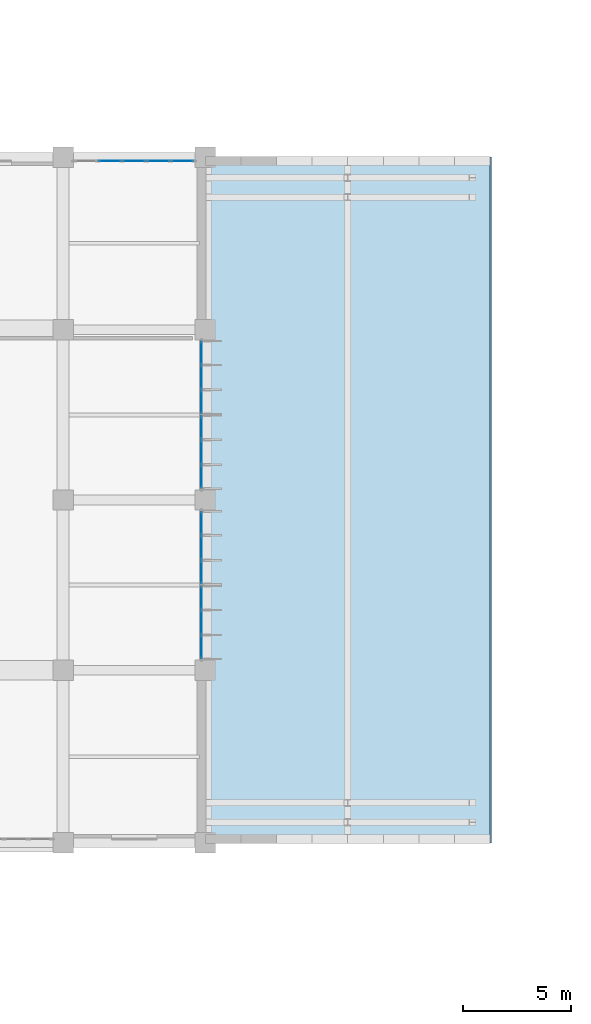
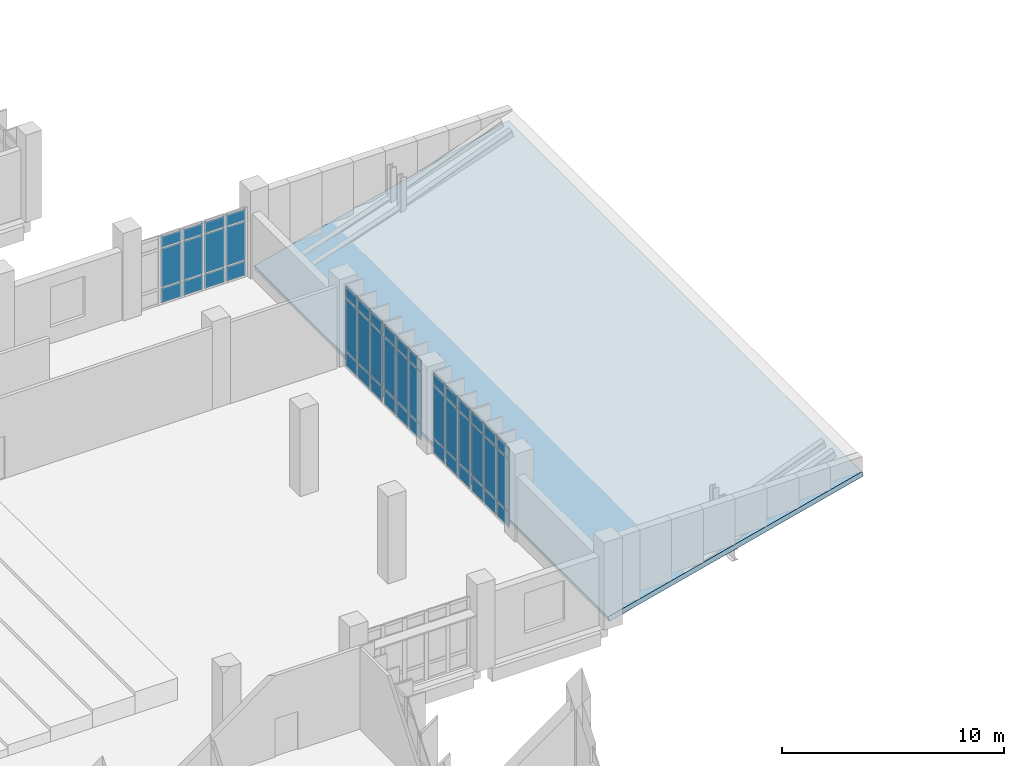
# One storey, part 61 of 90: 48 plates, 1 slab, 5 elements without a shape of their own.
"""IFC4 building model written with IfcOpenShell, lengths in metres."""

from ifc_helpers import new_model, si_unit, direction, frame, origin, origin_2d, place, context, subcontext, project, spatial, polyline, rectangle, outline, extrude, material, layer, layer_set, type_object, element, aggregate, save


model = new_model("IFC4")

# Units and contexts
model_context = context("Model", 3, precision=1e-05, world=origin(), true_north=direction((0.0, 1.0)))
body_context = subcontext(model_context, "Body", "Model", "MODEL_VIEW")
ifc_project = project(units=[si_unit("LENGTHUNIT", "METRE"), si_unit("AREAUNIT", "SQUARE_METRE"), si_unit("VOLUMEUNIT", "CUBIC_METRE"), si_unit("PLANEANGLEUNIT", "RADIAN"), si_unit("MASSUNIT", "GRAM", prefix="KILO")], contexts=[model_context])

# Site, building, storey
site_placement = place(None, origin())
site = spatial("IfcSite", under=ifc_project, at=site_placement, CompositionType="ELEMENT")
building_placement = place(site_placement, origin())
building = spatial("IfcBuilding", under=site, at=building_placement, Name="Kelarvand Opera House", CompositionType="ELEMENT")
storey_placement = place(building_placement, frame((0.0, 0.0, 5.39990234375)))
storey = spatial("IfcBuildingStorey", under=building, at=storey_placement, Name="L01", CompositionType="ELEMENT", Elevation=5.39990234375)

# Curtain wall, plates
ifc_material_1 = material(Name="Thermally broken aluminium and low-E glazing", Category="aluminium")
ifc_layer_1 = layer(ifc_material_1, 0.219970703125, Name="Thermally broken aluminium and low-E glazing", Category="aluminium")
ifc_layer_set_1 = layer_set([ifc_layer_1], Name="Thermally broken aluminium and low-E glazing")
curtain_wall_type_1 = type_object("IfcCurtainWallType", Name="Unitised Low-E Curtain Wall 5630x3780 Mod 1150 CWF-03", PredefinedType="USERDEFINED", material=ifc_layer_set_1)
curtain_wall_1_placement = place(storey_placement, origin())
curtain_wall_1 = element("IfcCurtainWall", 1, at=curtain_wall_1_placement, inside=storey, type_object=curtain_wall_type_1, Name="V1 L01 Curtain Wall CWF-03 (7)", ObjectType="UNITISED CURTAIN WALL", PredefinedType="USERDEFINED")
ifc_material_2 = material(Name="Acoustic triple-laminated low-E glazing", Category="glass")
ifc_layer_2 = layer(ifc_material_2, 0.0400390625, Name="Acoustic triple-laminated low-E glazing", Category="glass")
ifc_layer_set_2 = layer_set([ifc_layer_2], Name="Acoustic triple-laminated low-E glazing")
plate_type = type_object("IfcPlateType", Name="Acoustic Laminated Plaza Curtain Panel 40mm", PredefinedType="CURTAIN_PANEL", material=ifc_layer_set_2)
plate_1_placement = place(storey_placement, frame((137.3740234375, 78.219970703125, 0.074951171875), z_axis=(0.0, 0.0, 1.0), x_axis=(1.0, 0.0, 0.0)))
plate_1 = element("IfcPlate", 2, at=plate_1_placement, type_object=plate_type, Name="CWF-03 panel 2.1", PredefinedType="CURTAIN_PANEL", context=body_context, shape_type="SweptSolid", body=[
    extrude(rectangle(XDim=1.051025390625, YDim=0.0400390625, at=origin_2d()), origin(), (0.0, 0.0, 1.0), 0.78759765625),
])
plate_2_placement = place(storey_placement, frame((137.3740234375, 78.219970703125, 0.9375), z_axis=(0.0, 0.0, 1.0), x_axis=(1.0, 0.0, 0.0)))
plate_2 = element("IfcPlate", 3, at=plate_2_placement, type_object=plate_type, Name="CWF-03 panel 2.2", PredefinedType="CURTAIN_PANEL", context=body_context, shape_type="SweptSolid", body=[
    extrude(rectangle(XDim=1.051025390625, YDim=0.0400390625, at=origin_2d()), origin(), (0.0, 0.0, 1.0), 2.10498046875),
])
plate_3_placement = place(storey_placement, frame((137.3740234375, 78.219970703125, 3.11767578125), z_axis=(0.0, 0.0, 1.0), x_axis=(1.0, 0.0, 0.0)))
plate_3 = element("IfcPlate", 4, at=plate_3_placement, type_object=plate_type, Name="CWF-03 panel 2.3", PredefinedType="CURTAIN_PANEL", context=body_context, shape_type="SweptSolid", body=[
    extrude(rectangle(XDim=1.051025390625, YDim=0.0400390625, at=origin_2d()), origin(), (0.0, 0.0, 1.0), 0.58740234375),
])
plate_4_placement = place(storey_placement, frame((138.5, 78.219970703125, 0.074951171875), z_axis=(0.0, 0.0, 1.0), x_axis=(1.0, 0.0, 0.0)))
plate_4 = element("IfcPlate", 5, at=plate_4_placement, type_object=plate_type, Name="CWF-03 panel 3.1", PredefinedType="CURTAIN_PANEL", context=body_context, shape_type="SweptSolid", body=[
    extrude(rectangle(XDim=1.051025390625, YDim=0.0400390625, at=origin_2d()), origin(), (0.0, 0.0, 1.0), 0.78759765625),
])
plate_5_placement = place(storey_placement, frame((138.5, 78.219970703125, 0.9375), z_axis=(0.0, 0.0, 1.0), x_axis=(1.0, 0.0, 0.0)))
plate_5 = element("IfcPlate", 6, at=plate_5_placement, type_object=plate_type, Name="CWF-03 panel 3.2", PredefinedType="CURTAIN_PANEL", context=body_context, shape_type="SweptSolid", body=[
    extrude(rectangle(XDim=1.051025390625, YDim=0.0400390625, at=origin_2d()), origin(), (0.0, 0.0, 1.0), 2.10498046875),
])
plate_6_placement = place(storey_placement, frame((138.5, 78.219970703125, 3.11767578125), z_axis=(0.0, 0.0, 1.0), x_axis=(1.0, 0.0, 0.0)))
plate_6 = element("IfcPlate", 7, at=plate_6_placement, type_object=plate_type, Name="CWF-03 panel 3.3", PredefinedType="CURTAIN_PANEL", context=body_context, shape_type="SweptSolid", body=[
    extrude(rectangle(XDim=1.051025390625, YDim=0.0400390625, at=origin_2d()), origin(), (0.0, 0.0, 1.0), 0.58740234375),
])
plate_7_placement = place(storey_placement, frame((139.6259765625, 78.219970703125, 0.074951171875), z_axis=(0.0, 0.0, 1.0), x_axis=(1.0, 0.0, 0.0)))
plate_7 = element("IfcPlate", 8, at=plate_7_placement, type_object=plate_type, Name="CWF-03 panel 4.1", PredefinedType="CURTAIN_PANEL", context=body_context, shape_type="SweptSolid", body=[
    extrude(rectangle(XDim=1.051025390625, YDim=0.0400390625, at=origin_2d()), origin(), (0.0, 0.0, 1.0), 0.78759765625),
])
plate_8_placement = place(storey_placement, frame((139.6259765625, 78.219970703125, 0.9375), z_axis=(0.0, 0.0, 1.0), x_axis=(1.0, 0.0, 0.0)))
plate_8 = element("IfcPlate", 9, at=plate_8_placement, type_object=plate_type, Name="CWF-03 panel 4.2", PredefinedType="CURTAIN_PANEL", context=body_context, shape_type="SweptSolid", body=[
    extrude(rectangle(XDim=1.051025390625, YDim=0.0400390625, at=origin_2d()), origin(), (0.0, 0.0, 1.0), 2.10498046875),
])
plate_9_placement = place(storey_placement, frame((139.6259765625, 78.219970703125, 3.11767578125), z_axis=(0.0, 0.0, 1.0), x_axis=(1.0, 0.0, 0.0)))
plate_9 = element("IfcPlate", 10, at=plate_9_placement, type_object=plate_type, Name="CWF-03 panel 4.3", PredefinedType="CURTAIN_PANEL", context=body_context, shape_type="SweptSolid", body=[
    extrude(rectangle(XDim=1.051025390625, YDim=0.0400390625, at=origin_2d()), origin(), (0.0, 0.0, 1.0), 0.58740234375),
])
plate_10_placement = place(storey_placement, frame((140.733154296875, 78.219970703125, 0.074951171875), z_axis=(0.0, 0.0, 1.0), x_axis=(1.0, 0.0, 0.0)))
plate_10 = element("IfcPlate", 11, at=plate_10_placement, type_object=plate_type, Name="CWF-03 panel 5.1", PredefinedType="CURTAIN_PANEL", context=body_context, shape_type="SweptSolid", body=[
    extrude(rectangle(XDim=1.013427734375, YDim=0.0400390625, at=origin_2d()), origin(), (0.0, 0.0, 1.0), 0.78759765625),
])
plate_11_placement = place(storey_placement, frame((140.733154296875, 78.219970703125, 0.9375), z_axis=(0.0, 0.0, 1.0), x_axis=(1.0, 0.0, 0.0)))
plate_11 = element("IfcPlate", 12, at=plate_11_placement, type_object=plate_type, Name="CWF-03 panel 5.2", PredefinedType="CURTAIN_PANEL", context=body_context, shape_type="SweptSolid", body=[
    extrude(rectangle(XDim=1.013427734375, YDim=0.0400390625, at=origin_2d()), origin(), (0.0, 0.0, 1.0), 2.10498046875),
])
plate_12_placement = place(storey_placement, frame((140.733154296875, 78.219970703125, 3.11767578125), z_axis=(0.0, 0.0, 1.0), x_axis=(1.0, 0.0, 0.0)))
plate_12 = element("IfcPlate", 13, at=plate_12_placement, type_object=plate_type, Name="CWF-03 panel 5.3", PredefinedType="CURTAIN_PANEL", context=body_context, shape_type="SweptSolid", body=[
    extrude(rectangle(XDim=1.013427734375, YDim=0.0400390625, at=origin_2d()), origin(), (0.0, 0.0, 1.0), 0.58740234375),
])
aggregate(curtain_wall_1, [plate_1, plate_2, plate_3, plate_4, plate_5, plate_6, plate_7, plate_8, plate_9, plate_10, plate_11, plate_12])

ifc_layer_3 = layer(ifc_material_1, 0.219970703125, Name="Thermally broken aluminium and low-E glazing", Category="aluminium")
ifc_layer_set_3 = layer_set([ifc_layer_3], Name="Thermally broken aluminium and low-E glazing")
curtain_wall_type_2 = type_object("IfcCurtainWallType", Name="Unitised Low-E Curtain Wall 3461x4500 Mod 1150 CWF-04", PredefinedType="USERDEFINED", material=ifc_layer_set_3)
curtain_wall_2_placement = place(storey_placement, origin())
curtain_wall_2 = element("IfcCurtainWall", 14, at=curtain_wall_2_placement, inside=storey, type_object=curtain_wall_type_2, Name="V1 L01 Curtain Wall CWF-04 (8)", ObjectType="UNITISED CURTAIN WALL", PredefinedType="USERDEFINED")
plate_13_placement = place(storey_placement, frame((141.6201171875, 69.3193359375, 0.074951171875), z_axis=(0.0, 0.0, 1.0), x_axis=(0.0, -1.0, 0.0)))
plate_13 = element("IfcPlate", 15, at=plate_13_placement, type_object=plate_type, Name="CWF-04 panel 1.1", PredefinedType="CURTAIN_PANEL", context=body_context, shape_type="SweptSolid", body=[
    extrude(rectangle(XDim=1.041259765625, YDim=0.0400390625, at=origin_2d()), origin(), (0.0, 0.0, 1.0), 0.78759765625),
])
plate_14_placement = place(storey_placement, frame((141.6201171875, 69.3193359375, 0.9375), z_axis=(0.0, 0.0, 1.0), x_axis=(0.0, -1.0, 0.0)))
plate_14 = element("IfcPlate", 16, at=plate_14_placement, type_object=plate_type, Name="CWF-04 panel 1.2", PredefinedType="CURTAIN_PANEL", context=body_context, shape_type="SweptSolid", body=[
    extrude(rectangle(XDim=1.041259765625, YDim=0.0400390625, at=origin_2d()), origin(), (0.0, 0.0, 1.0), 2.824951171875),
])
plate_15_placement = place(storey_placement, frame((141.6201171875, 69.3193359375, 3.837646484375), z_axis=(0.0, 0.0, 1.0), x_axis=(0.0, -1.0, 0.0)))
plate_15 = element("IfcPlate", 17, at=plate_15_placement, type_object=plate_type, Name="CWF-04 panel 1.3", PredefinedType="CURTAIN_PANEL", context=body_context, shape_type="SweptSolid", body=[
    extrude(rectangle(XDim=1.041259765625, YDim=0.0400390625, at=origin_2d()), origin(), (0.0, 0.0, 1.0), 0.58740234375),
])
plate_16_placement = place(storey_placement, frame((141.6201171875, 68.1845703125, 0.074951171875), z_axis=(0.0, 0.0, 1.0), x_axis=(0.0, -1.0, 0.0)))
plate_16 = element("IfcPlate", 18, at=plate_16_placement, type_object=plate_type, Name="CWF-04 panel 2.1", PredefinedType="CURTAIN_PANEL", context=body_context, shape_type="SweptSolid", body=[
    extrude(rectangle(XDim=1.07861328125, YDim=0.0400390625, at=origin_2d()), origin(), (0.0, 0.0, 1.0), 0.78759765625),
])
plate_17_placement = place(storey_placement, frame((141.6201171875, 68.1845703125, 0.9375), z_axis=(0.0, 0.0, 1.0), x_axis=(0.0, -1.0, 0.0)))
plate_17 = element("IfcPlate", 19, at=plate_17_placement, type_object=plate_type, Name="CWF-04 panel 2.2", PredefinedType="CURTAIN_PANEL", context=body_context, shape_type="SweptSolid", body=[
    extrude(rectangle(XDim=1.07861328125, YDim=0.0400390625, at=origin_2d()), origin(), (0.0, 0.0, 1.0), 2.824951171875),
])
plate_18_placement = place(storey_placement, frame((141.6201171875, 68.1845703125, 3.837646484375), z_axis=(0.0, 0.0, 1.0), x_axis=(0.0, -1.0, 0.0)))
plate_18 = element("IfcPlate", 20, at=plate_18_placement, type_object=plate_type, Name="CWF-04 panel 2.3", PredefinedType="CURTAIN_PANEL", context=body_context, shape_type="SweptSolid", body=[
    extrude(rectangle(XDim=1.07861328125, YDim=0.0400390625, at=origin_2d()), origin(), (0.0, 0.0, 1.0), 0.58740234375),
])
plate_19_placement = place(storey_placement, frame((141.6201171875, 67.049560546875, 0.074951171875), z_axis=(0.0, 0.0, 1.0), x_axis=(0.0, -1.0, 0.0)))
plate_19 = element("IfcPlate", 21, at=plate_19_placement, type_object=plate_type, Name="CWF-04 panel 3.1", PredefinedType="CURTAIN_PANEL", context=body_context, shape_type="SweptSolid", body=[
    extrude(rectangle(XDim=1.041259765625, YDim=0.0400390625, at=origin_2d()), origin(), (0.0, 0.0, 1.0), 0.78759765625),
])
plate_20_placement = place(storey_placement, frame((141.6201171875, 67.049560546875, 0.9375), z_axis=(0.0, 0.0, 1.0), x_axis=(0.0, -1.0, 0.0)))
plate_20 = element("IfcPlate", 22, at=plate_20_placement, type_object=plate_type, Name="CWF-04 panel 3.2", PredefinedType="CURTAIN_PANEL", context=body_context, shape_type="SweptSolid", body=[
    extrude(rectangle(XDim=1.041259765625, YDim=0.0400390625, at=origin_2d()), origin(), (0.0, 0.0, 1.0), 2.824951171875),
])
plate_21_placement = place(storey_placement, frame((141.6201171875, 67.049560546875, 3.837646484375), z_axis=(0.0, 0.0, 1.0), x_axis=(0.0, -1.0, 0.0)))
plate_21 = element("IfcPlate", 23, at=plate_21_placement, type_object=plate_type, Name="CWF-04 panel 3.3", PredefinedType="CURTAIN_PANEL", context=body_context, shape_type="SweptSolid", body=[
    extrude(rectangle(XDim=1.041259765625, YDim=0.0400390625, at=origin_2d()), origin(), (0.0, 0.0, 1.0), 0.58740234375),
])
aggregate(curtain_wall_2, [plate_13, plate_14, plate_15, plate_16, plate_17, plate_18, plate_19, plate_20, plate_21])

curtain_wall_3_placement = place(storey_placement, origin())
curtain_wall_3 = element("IfcCurtainWall", 24, at=curtain_wall_3_placement, inside=storey, type_object=curtain_wall_type_2, Name="V1 L01 Curtain Wall CWF-04 (9)", ObjectType="UNITISED CURTAIN WALL", PredefinedType="USERDEFINED")
plate_22_placement = place(storey_placement, frame((141.6201171875, 65.853759765625, 0.074951171875), z_axis=(0.0, 0.0, 1.0), x_axis=(0.0, -1.0, 0.0)))
plate_22 = element("IfcPlate", 25, at=plate_22_placement, type_object=plate_type, Name="CWF-04 panel 1.1", PredefinedType="CURTAIN_PANEL", context=body_context, shape_type="SweptSolid", body=[
    extrude(rectangle(XDim=1.04248046875, YDim=0.0400390625, at=origin_2d()), origin(), (0.0, 0.0, 1.0), 0.78759765625),
])
plate_23_placement = place(storey_placement, frame((141.6201171875, 65.853759765625, 0.9375), z_axis=(0.0, 0.0, 1.0), x_axis=(0.0, -1.0, 0.0)))
plate_23 = element("IfcPlate", 26, at=plate_23_placement, type_object=plate_type, Name="CWF-04 panel 1.2", PredefinedType="CURTAIN_PANEL", context=body_context, shape_type="SweptSolid", body=[
    extrude(rectangle(XDim=1.04248046875, YDim=0.0400390625, at=origin_2d()), origin(), (0.0, 0.0, 1.0), 2.824951171875),
])
plate_24_placement = place(storey_placement, frame((141.6201171875, 65.853759765625, 3.837646484375), z_axis=(0.0, 0.0, 1.0), x_axis=(0.0, -1.0, 0.0)))
plate_24 = element("IfcPlate", 27, at=plate_24_placement, type_object=plate_type, Name="CWF-04 panel 1.3", PredefinedType="CURTAIN_PANEL", context=body_context, shape_type="SweptSolid", body=[
    extrude(rectangle(XDim=1.04248046875, YDim=0.0400390625, at=origin_2d()), origin(), (0.0, 0.0, 1.0), 0.58740234375),
])
plate_25_placement = place(storey_placement, frame((141.6201171875, 64.717529296875, 0.074951171875), z_axis=(0.0, 0.0, 1.0), x_axis=(0.0, -1.0, 0.0)))
plate_25 = element("IfcPlate", 28, at=plate_25_placement, type_object=plate_type, Name="CWF-04 panel 2.1", PredefinedType="CURTAIN_PANEL", context=body_context, shape_type="SweptSolid", body=[
    extrude(rectangle(XDim=1.080078125, YDim=0.0400390625, at=origin_2d()), origin(), (0.0, 0.0, 1.0), 0.78759765625),
])
plate_26_placement = place(storey_placement, frame((141.6201171875, 64.717529296875, 0.9375), z_axis=(0.0, 0.0, 1.0), x_axis=(0.0, -1.0, 0.0)))
plate_26 = element("IfcPlate", 29, at=plate_26_placement, type_object=plate_type, Name="CWF-04 panel 2.2", PredefinedType="CURTAIN_PANEL", context=body_context, shape_type="SweptSolid", body=[
    extrude(rectangle(XDim=1.080078125, YDim=0.0400390625, at=origin_2d()), origin(), (0.0, 0.0, 1.0), 2.824951171875),
])
plate_27_placement = place(storey_placement, frame((141.6201171875, 64.717529296875, 3.837646484375), z_axis=(0.0, 0.0, 1.0), x_axis=(0.0, -1.0, 0.0)))
plate_27 = element("IfcPlate", 30, at=plate_27_placement, type_object=plate_type, Name="CWF-04 panel 2.3", PredefinedType="CURTAIN_PANEL", context=body_context, shape_type="SweptSolid", body=[
    extrude(rectangle(XDim=1.080078125, YDim=0.0400390625, at=origin_2d()), origin(), (0.0, 0.0, 1.0), 0.58740234375),
])
plate_28_placement = place(storey_placement, frame((141.6201171875, 63.581298828125, 0.074951171875), z_axis=(0.0, 0.0, 1.0), x_axis=(0.0, -1.0, 0.0)))
plate_28 = element("IfcPlate", 31, at=plate_28_placement, type_object=plate_type, Name="CWF-04 panel 3.1", PredefinedType="CURTAIN_PANEL", context=body_context, shape_type="SweptSolid", body=[
    extrude(rectangle(XDim=1.04248046875, YDim=0.0400390625, at=origin_2d()), origin(), (0.0, 0.0, 1.0), 0.78759765625),
])
plate_29_placement = place(storey_placement, frame((141.6201171875, 63.581298828125, 0.9375), z_axis=(0.0, 0.0, 1.0), x_axis=(0.0, -1.0, 0.0)))
plate_29 = element("IfcPlate", 32, at=plate_29_placement, type_object=plate_type, Name="CWF-04 panel 3.2", PredefinedType="CURTAIN_PANEL", context=body_context, shape_type="SweptSolid", body=[
    extrude(rectangle(XDim=1.04248046875, YDim=0.0400390625, at=origin_2d()), origin(), (0.0, 0.0, 1.0), 2.824951171875),
])
plate_30_placement = place(storey_placement, frame((141.6201171875, 63.581298828125, 3.837646484375), z_axis=(0.0, 0.0, 1.0), x_axis=(0.0, -1.0, 0.0)))
plate_30 = element("IfcPlate", 33, at=plate_30_placement, type_object=plate_type, Name="CWF-04 panel 3.3", PredefinedType="CURTAIN_PANEL", context=body_context, shape_type="SweptSolid", body=[
    extrude(rectangle(XDim=1.04248046875, YDim=0.0400390625, at=origin_2d()), origin(), (0.0, 0.0, 1.0), 0.58740234375),
])
aggregate(curtain_wall_3, [plate_22, plate_23, plate_24, plate_25, plate_26, plate_27, plate_28, plate_29, plate_30])

curtain_wall_4_placement = place(storey_placement, origin())
curtain_wall_4 = element("IfcCurtainWall", 34, at=curtain_wall_4_placement, inside=storey, type_object=curtain_wall_type_2, Name="V1 L01 Curtain Wall CWF-04 (10)", ObjectType="UNITISED CURTAIN WALL", PredefinedType="USERDEFINED")
plate_31_placement = place(storey_placement, frame((141.6201171875, 61.41943359375, 0.074951171875), z_axis=(0.0, 0.0, 1.0), x_axis=(0.0, -1.0, 0.0)))
plate_31 = element("IfcPlate", 35, at=plate_31_placement, type_object=plate_type, Name="CWF-04 panel 1.1", PredefinedType="CURTAIN_PANEL", context=body_context, shape_type="SweptSolid", body=[
    extrude(rectangle(XDim=1.041259765625, YDim=0.0400390625, at=origin_2d()), origin(), (0.0, 0.0, 1.0), 0.78759765625),
])
plate_32_placement = place(storey_placement, frame((141.6201171875, 61.41943359375, 0.9375), z_axis=(0.0, 0.0, 1.0), x_axis=(0.0, -1.0, 0.0)))
plate_32 = element("IfcPlate", 36, at=plate_32_placement, type_object=plate_type, Name="CWF-04 panel 1.2", PredefinedType="CURTAIN_PANEL", context=body_context, shape_type="SweptSolid", body=[
    extrude(rectangle(XDim=1.041259765625, YDim=0.0400390625, at=origin_2d()), origin(), (0.0, 0.0, 1.0), 2.824951171875),
])
plate_33_placement = place(storey_placement, frame((141.6201171875, 61.41943359375, 3.837646484375), z_axis=(0.0, 0.0, 1.0), x_axis=(0.0, -1.0, 0.0)))
plate_33 = element("IfcPlate", 37, at=plate_33_placement, type_object=plate_type, Name="CWF-04 panel 1.3", PredefinedType="CURTAIN_PANEL", context=body_context, shape_type="SweptSolid", body=[
    extrude(rectangle(XDim=1.041259765625, YDim=0.0400390625, at=origin_2d()), origin(), (0.0, 0.0, 1.0), 0.58740234375),
])
plate_34_placement = place(storey_placement, frame((141.6201171875, 60.284423828125, 0.074951171875), z_axis=(0.0, 0.0, 1.0), x_axis=(0.0, -1.0, 0.0)))
plate_34 = element("IfcPlate", 38, at=plate_34_placement, type_object=plate_type, Name="CWF-04 panel 2.1", PredefinedType="CURTAIN_PANEL", context=body_context, shape_type="SweptSolid", body=[
    extrude(rectangle(XDim=1.07861328125, YDim=0.0400390625, at=origin_2d()), origin(), (0.0, 0.0, 1.0), 0.78759765625),
])
plate_35_placement = place(storey_placement, frame((141.6201171875, 60.284423828125, 0.9375), z_axis=(0.0, 0.0, 1.0), x_axis=(0.0, -1.0, 0.0)))
plate_35 = element("IfcPlate", 39, at=plate_35_placement, type_object=plate_type, Name="CWF-04 panel 2.2", PredefinedType="CURTAIN_PANEL", context=body_context, shape_type="SweptSolid", body=[
    extrude(rectangle(XDim=1.07861328125, YDim=0.0400390625, at=origin_2d()), origin(), (0.0, 0.0, 1.0), 2.824951171875),
])
plate_36_placement = place(storey_placement, frame((141.6201171875, 60.284423828125, 3.837646484375), z_axis=(0.0, 0.0, 1.0), x_axis=(0.0, -1.0, 0.0)))
plate_36 = element("IfcPlate", 40, at=plate_36_placement, type_object=plate_type, Name="CWF-04 panel 2.3", PredefinedType="CURTAIN_PANEL", context=body_context, shape_type="SweptSolid", body=[
    extrude(rectangle(XDim=1.07861328125, YDim=0.0400390625, at=origin_2d()), origin(), (0.0, 0.0, 1.0), 0.58740234375),
])
plate_37_placement = place(storey_placement, frame((141.6201171875, 59.149658203125, 0.074951171875), z_axis=(0.0, 0.0, 1.0), x_axis=(0.0, -1.0, 0.0)))
plate_37 = element("IfcPlate", 41, at=plate_37_placement, type_object=plate_type, Name="CWF-04 panel 3.1", PredefinedType="CURTAIN_PANEL", context=body_context, shape_type="SweptSolid", body=[
    extrude(rectangle(XDim=1.041259765625, YDim=0.0400390625, at=origin_2d()), origin(), (0.0, 0.0, 1.0), 0.78759765625),
])
plate_38_placement = place(storey_placement, frame((141.6201171875, 59.149658203125, 0.9375), z_axis=(0.0, 0.0, 1.0), x_axis=(0.0, -1.0, 0.0)))
plate_38 = element("IfcPlate", 42, at=plate_38_placement, type_object=plate_type, Name="CWF-04 panel 3.2", PredefinedType="CURTAIN_PANEL", context=body_context, shape_type="SweptSolid", body=[
    extrude(rectangle(XDim=1.041259765625, YDim=0.0400390625, at=origin_2d()), origin(), (0.0, 0.0, 1.0), 2.824951171875),
])
plate_39_placement = place(storey_placement, frame((141.6201171875, 59.149658203125, 3.837646484375), z_axis=(0.0, 0.0, 1.0), x_axis=(0.0, -1.0, 0.0)))
plate_39 = element("IfcPlate", 43, at=plate_39_placement, type_object=plate_type, Name="CWF-04 panel 3.3", PredefinedType="CURTAIN_PANEL", context=body_context, shape_type="SweptSolid", body=[
    extrude(rectangle(XDim=1.041259765625, YDim=0.0400390625, at=origin_2d()), origin(), (0.0, 0.0, 1.0), 0.58740234375),
])
aggregate(curtain_wall_4, [plate_31, plate_32, plate_33, plate_34, plate_35, plate_36, plate_37, plate_38, plate_39])

curtain_wall_5_placement = place(storey_placement, origin())
curtain_wall_5 = element("IfcCurtainWall", 44, at=curtain_wall_5_placement, inside=storey, type_object=curtain_wall_type_2, Name="V1 L01 Curtain Wall CWF-04 (11)", ObjectType="UNITISED CURTAIN WALL", PredefinedType="USERDEFINED")
plate_40_placement = place(storey_placement, frame((141.6201171875, 57.953857421875, 0.074951171875), z_axis=(0.0, 0.0, 1.0), x_axis=(0.0, -1.0, 0.0)))
plate_40 = element("IfcPlate", 45, at=plate_40_placement, type_object=plate_type, Name="CWF-04 panel 1.1", PredefinedType="CURTAIN_PANEL", context=body_context, shape_type="SweptSolid", body=[
    extrude(rectangle(XDim=1.04248046875, YDim=0.0400390625, at=origin_2d()), origin(), (0.0, 0.0, 1.0), 0.78759765625),
])
plate_41_placement = place(storey_placement, frame((141.6201171875, 57.953857421875, 0.9375), z_axis=(0.0, 0.0, 1.0), x_axis=(0.0, -1.0, 0.0)))
plate_41 = element("IfcPlate", 46, at=plate_41_placement, type_object=plate_type, Name="CWF-04 panel 1.2", PredefinedType="CURTAIN_PANEL", context=body_context, shape_type="SweptSolid", body=[
    extrude(rectangle(XDim=1.04248046875, YDim=0.0400390625, at=origin_2d()), origin(), (0.0, 0.0, 1.0), 2.824951171875),
])
plate_42_placement = place(storey_placement, frame((141.6201171875, 57.953857421875, 3.837646484375), z_axis=(0.0, 0.0, 1.0), x_axis=(0.0, -1.0, 0.0)))
plate_42 = element("IfcPlate", 47, at=plate_42_placement, type_object=plate_type, Name="CWF-04 panel 1.3", PredefinedType="CURTAIN_PANEL", context=body_context, shape_type="SweptSolid", body=[
    extrude(rectangle(XDim=1.04248046875, YDim=0.0400390625, at=origin_2d()), origin(), (0.0, 0.0, 1.0), 0.58740234375),
])
plate_43_placement = place(storey_placement, frame((141.6201171875, 56.8173828125, 0.074951171875), z_axis=(0.0, 0.0, 1.0), x_axis=(0.0, -1.0, 0.0)))
plate_43 = element("IfcPlate", 48, at=plate_43_placement, type_object=plate_type, Name="CWF-04 panel 2.1", PredefinedType="CURTAIN_PANEL", context=body_context, shape_type="SweptSolid", body=[
    extrude(rectangle(XDim=1.080078125, YDim=0.0400390625, at=origin_2d()), origin(), (0.0, 0.0, 1.0), 0.78759765625),
])
plate_44_placement = place(storey_placement, frame((141.6201171875, 56.8173828125, 0.9375), z_axis=(0.0, 0.0, 1.0), x_axis=(0.0, -1.0, 0.0)))
plate_44 = element("IfcPlate", 49, at=plate_44_placement, type_object=plate_type, Name="CWF-04 panel 2.2", PredefinedType="CURTAIN_PANEL", context=body_context, shape_type="SweptSolid", body=[
    extrude(rectangle(XDim=1.080078125, YDim=0.0400390625, at=origin_2d()), origin(), (0.0, 0.0, 1.0), 2.824951171875),
])
plate_45_placement = place(storey_placement, frame((141.6201171875, 56.8173828125, 3.837646484375), z_axis=(0.0, 0.0, 1.0), x_axis=(0.0, -1.0, 0.0)))
plate_45 = element("IfcPlate", 50, at=plate_45_placement, type_object=plate_type, Name="CWF-04 panel 2.3", PredefinedType="CURTAIN_PANEL", context=body_context, shape_type="SweptSolid", body=[
    extrude(rectangle(XDim=1.080078125, YDim=0.0400390625, at=origin_2d()), origin(), (0.0, 0.0, 1.0), 0.58740234375),
])
plate_46_placement = place(storey_placement, frame((141.6201171875, 55.68115234375, 0.074951171875), z_axis=(0.0, 0.0, 1.0), x_axis=(0.0, -1.0, 0.0)))
plate_46 = element("IfcPlate", 51, at=plate_46_placement, type_object=plate_type, Name="CWF-04 panel 3.1", PredefinedType="CURTAIN_PANEL", context=body_context, shape_type="SweptSolid", body=[
    extrude(rectangle(XDim=1.04248046875, YDim=0.0400390625, at=origin_2d()), origin(), (0.0, 0.0, 1.0), 0.78759765625),
])
plate_47_placement = place(storey_placement, frame((141.6201171875, 55.68115234375, 0.9375), z_axis=(0.0, 0.0, 1.0), x_axis=(0.0, -1.0, 0.0)))
plate_47 = element("IfcPlate", 52, at=plate_47_placement, type_object=plate_type, Name="CWF-04 panel 3.2", PredefinedType="CURTAIN_PANEL", context=body_context, shape_type="SweptSolid", body=[
    extrude(rectangle(XDim=1.04248046875, YDim=0.0400390625, at=origin_2d()), origin(), (0.0, 0.0, 1.0), 2.824951171875),
])
plate_48_placement = place(storey_placement, frame((141.6201171875, 55.68115234375, 3.837646484375), z_axis=(0.0, 0.0, 1.0), x_axis=(0.0, -1.0, 0.0)))
plate_48 = element("IfcPlate", 53, at=plate_48_placement, type_object=plate_type, Name="CWF-04 panel 3.3", PredefinedType="CURTAIN_PANEL", context=body_context, shape_type="SweptSolid", body=[
    extrude(rectangle(XDim=1.04248046875, YDim=0.0400390625, at=origin_2d()), origin(), (0.0, 0.0, 1.0), 0.58740234375),
])
aggregate(curtain_wall_5, [plate_40, plate_41, plate_42, plate_43, plate_44, plate_45, plate_46, plate_47, plate_48])

# Slab
ifc_material_3 = material(Name="Concrete C40/50", Category="concrete")
ifc_layer_4 = layer(ifc_material_3, 0.320068359375, Name="Concrete C40/50", Category="concrete")
ifc_layer_set_4 = layer_set([ifc_layer_4], Name="Concrete C40/50")
slab_type = type_object("IfcSlabType", Name="Long-Span Hall Floor Slab 320", PredefinedType="FLOOR", material=ifc_layer_set_4)
slab_placement = place(storey_placement, frame((141.800048828125, 46.60009765625, 0.280029296875), z_axis=(-0.246687544236, 0.0, 0.969095070423), x_axis=(0.969095070423, 0.0, 0.246687544236)))
element("IfcSlab", 54, at=slab_placement, inside=storey, type_object=slab_type, Name="Auditorium Sloped Raked Cantilever Underside Slab", PredefinedType="FLOOR", context=body_context, shape_type="SweptSolid", body=[
    extrude(outline(polyline([(0.0, 0.0), (13.620904258764307, 0.0), (13.620904258764307, 31.7998046875), (0.0, 31.7998046875), (0.0, 0.0)])), origin(), (0.0, 0.0, -1.0), 0.280029296875),
])

save(model, "model.ifc")
